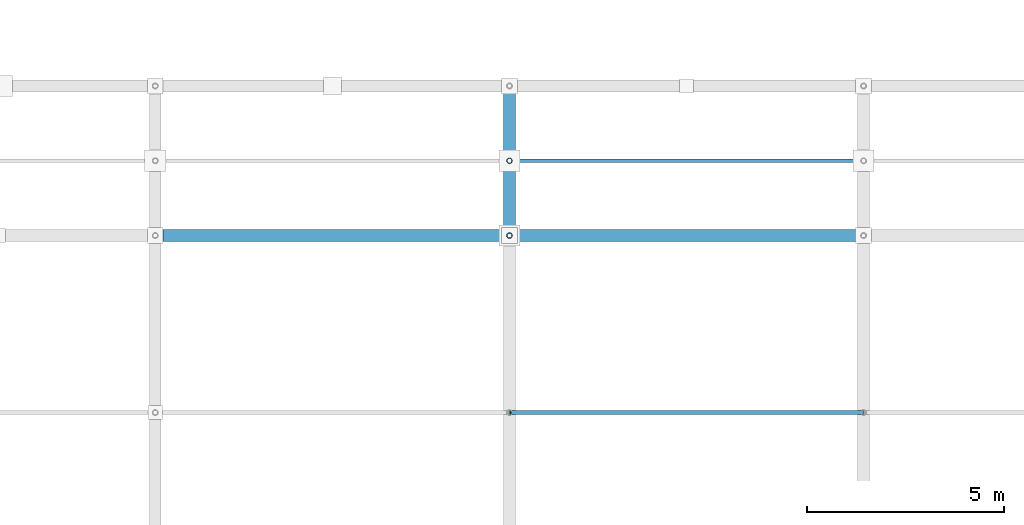
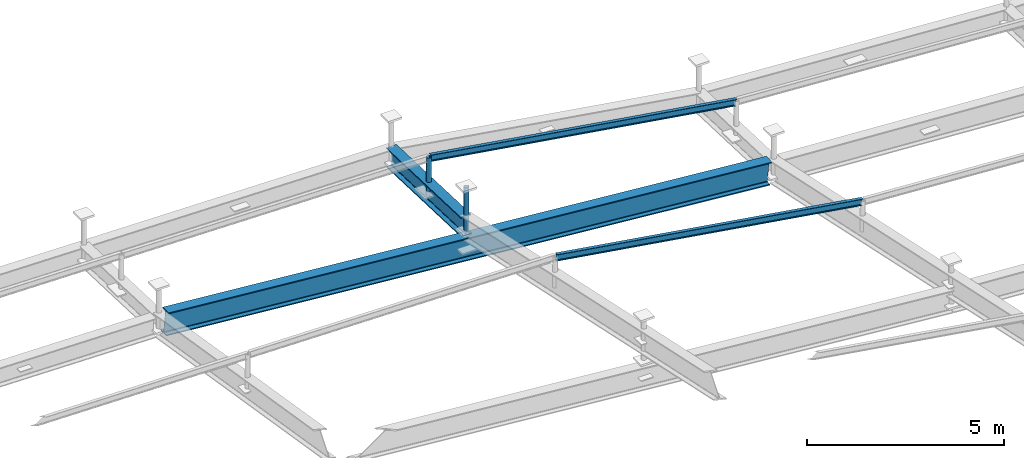
# One storey, part 36 of 80: 4 members, 2 beams.
"""IFC4 building model written with IfcOpenShell, lengths in metres."""

import ifcopenshell
import ifcopenshell.guid

model = None  # the IFC model being written
_history = None  # IfcOwnerHistory: only IFC2X3 demands one
_inside = {}  # id of a spatial element -> (the spatial element, [elements in it])
_under = {}  # id of a project, library or spatial element -> (it, [spatial elements below it])
_declared = {}  # id of a project -> (the project, [libraries it declares])
_typed = {}  # id of a type object -> (the type object, [elements of that type])
_made_of = {}  # id of a material, layer set ... -> (it, [elements and type objects made of it])


def new_model(schema):
    """Start an empty IFC model of exactly this schema.

    Asked for "IFC4X3", IfcOpenShell would pick the latest addendum, in which some entities
    have other attributes; the version numbers below select the first issue.
    IFC2X3 requires an IfcOwnerHistory on every rooted entity: one is made here for all.
    """
    global model, _history
    if schema == "IFC4X3":
        model = ifcopenshell.file(schema_version=(4, 3, 0, 0))
    else:
        model = ifcopenshell.file(schema=schema)
    _inside.clear()
    _under.clear()
    _declared.clear()
    _typed.clear()
    _made_of.clear()
    _history = None
    if model.schema == "IFC2X3":
        org = make("IfcOrganization", Name="unknown")
        user = make(
            "IfcPersonAndOrganization",
            ThePerson=make("IfcPerson", FamilyName="unknown"),
            TheOrganization=org,
        )
        app = make(
            "IfcApplication",
            ApplicationDeveloper=org,
            Version="unknown",
            ApplicationFullName="unknown",
            ApplicationIdentifier="unknown",
        )
        _history = make(
            "IfcOwnerHistory",
            OwningUser=user,
            OwningApplication=app,
            ChangeAction="ADDED",
            CreationDate=0,
        )
    return model


def make(cls, **values):
    """One entity of the class cls with the attributes given. An attribute that is None is left unset."""
    return model.create_entity(
        cls, **{name: value for name, value in values.items() if value is not None}
    )


def rooted(cls, **values):
    """An entity with a GlobalId (a new one), such as an element, a storey or a relation."""
    return make(cls, GlobalId=ifcopenshell.guid.new(), OwnerHistory=_history, **values)


def si_unit(unit_type, name, prefix=None):
    """IfcSIUnit, for example si_unit("LENGTHUNIT", "METRE", prefix="MILLI")."""
    return make("IfcSIUnit", UnitType=unit_type, Prefix=prefix, Name=name)


def assignment(units):
    """IfcUnitAssignment: the units of a project."""
    return None if units is None else make("IfcUnitAssignment", Units=units)


def point(xyz):
    """IfcCartesianPoint."""
    return None if xyz is None else make("IfcCartesianPoint", Coordinates=xyz)


def direction(xyz):
    """IfcDirection."""
    return None if xyz is None else make("IfcDirection", DirectionRatios=xyz)


def frame(location, z_axis=None, x_axis=None):
    """IfcAxis2Placement3D, a coordinate frame: its origin and axes. An axis left out is left unset."""
    return make(
        "IfcAxis2Placement3D",
        Location=point(location),
        Axis=direction(z_axis),
        RefDirection=direction(x_axis),
    )


def frame_2d(location, x_axis=None):
    """IfcAxis2Placement2D, a coordinate frame in the plane: its origin and x axis."""
    return make(
        "IfcAxis2Placement2D", Location=point(location), RefDirection=direction(x_axis)
    )


def origin():
    """The frame at (0, 0, 0) with its axes left unset."""
    return frame((0.0, 0.0, 0.0))


def origin_2d():
    """The frame at (0, 0) in the plane with its x axis left unset."""
    return frame_2d((0.0, 0.0))


def place(relative_to, where):
    """IfcLocalPlacement: puts the frame where relative to a parent placement (None: the world)."""
    return make(
        "IfcLocalPlacement", PlacementRelTo=relative_to, RelativePlacement=where
    )


def context(
    kind, dimensions, precision=None, world=None, true_north=None, identifier=None
):
    """IfcGeometricRepresentationContext, for example the 3D "Model" context."""
    return make(
        "IfcGeometricRepresentationContext",
        ContextIdentifier=identifier,
        ContextType=kind,
        CoordinateSpaceDimension=dimensions,
        Precision=precision,
        WorldCoordinateSystem=world,
        TrueNorth=true_north,
    )


def subcontext(parent, identifier, kind, view, scale=None):
    """IfcGeometricRepresentationSubContext, for example "Body" below "Model"."""
    return make(
        "IfcGeometricRepresentationSubContext",
        ContextIdentifier=identifier,
        ContextType=kind,
        ParentContext=parent,
        TargetScale=scale,
        TargetView=view,
    )


def project(units=None, contexts=None):
    """IfcProject with its units and contexts."""
    return rooted(
        "IfcProject",
        Name="project",
        RepresentationContexts=contexts,
        UnitsInContext=assignment(units),
    )


def spatial(cls, under=None, at=None, **own):
    """A site, building, storey or space (cls), placed at a placement, below another one or the project."""
    s = rooted(cls, ObjectPlacement=at, **own)
    if under is not None:
        _under.setdefault(under.id(), (under, []))[1].append(s)
    return s


def profile(cls, at=None, kind="AREA", **sizes):
    """A parametric profile (cls). Its sizes go by their IFC names, for example OverallWidth=200.0."""
    return make(cls, ProfileType=kind, Position=at, **sizes)


def hollow_circle(**sizes):
    """IfcCircleHollowProfileDef."""
    return profile("IfcCircleHollowProfileDef", **sizes)


def i_section(**sizes):
    """IfcIShapeProfileDef."""
    return profile("IfcIShapeProfileDef", **sizes)


def extrude(swept, where, along, depth):
    """IfcExtrudedAreaSolid: the profile swept, set in the frame where, extruded along a direction by depth."""
    return make(
        "IfcExtrudedAreaSolid",
        SweptArea=swept,
        Position=where,
        ExtrudedDirection=direction(along),
        Depth=depth,
    )


def shape(context_of_items, identifier, shape_type, items):
    """IfcShapeRepresentation: the items that make up one representation, for example the "Body"."""
    return make(
        "IfcShapeRepresentation",
        ContextOfItems=context_of_items,
        RepresentationIdentifier=identifier,
        RepresentationType=shape_type,
        Items=items,
    )


def material(Name=None, Category=None):
    """IfcMaterial."""
    return make("IfcMaterial", Name=Name, Category=Category)


def material_profile(
    of_material, cross_section, Name=None, Category=None, Priority=None
):
    """IfcMaterialProfile: a cross section and its material."""
    return make(
        "IfcMaterialProfile",
        Name=Name,
        Material=of_material,
        Profile=cross_section,
        Priority=Priority,
        Category=Category,
    )


def profile_set(profiles, Name=None, composite=None):
    """IfcMaterialProfileSet."""
    return make(
        "IfcMaterialProfileSet",
        Name=Name,
        MaterialProfiles=profiles,
        CompositeProfile=composite,
    )


def made_of(thing, what):
    """Note that an element or type object is made of a material, layer set ...; save() writes the relation."""
    if what is not None:
        _made_of.setdefault(what.id(), (what, []))[1].append(thing)
    return thing


def type_object(cls, material=None, **own):
    """A type object (cls), such as IfcWallType, which elements share."""
    return made_of(rooted(cls, **own), material)


def element(
    cls,
    number,
    at=None,
    inside=None,
    cuts=None,
    type_object=None,
    material=None,
    context=None,
    identifier="Body",
    shape_type=None,
    held_by="IfcProductDefinitionShape",
    body=None,
    shapes=None,
    **own,
):
    """One element of the class cls, such as IfcWall. Its Tag is "e" and its number.

    at: its placement. inside: the storey or other place that contains it. cuts: it is an
    opening in that element (IfcRelVoidsElement). A single representation is given by context,
    identifier, shape_type and body (its items); several are given by shapes. held_by: the class
    of the entity that holds the representations. save() writes the other relations.
    """
    e = rooted(cls, Tag="e%d" % number, ObjectPlacement=at, **own)
    if body is not None:
        shapes = [shape(context, identifier, shape_type, body)]
    if shapes is not None:
        e.Representation = make(held_by, Representations=shapes)
    if inside is not None:
        _inside.setdefault(inside.id(), (inside, []))[1].append(e)
    if cuts is not None:
        rooted(
            "IfcRelVoidsElement", RelatingBuildingElement=cuts, RelatedOpeningElement=e
        )
    if type_object is not None:
        _typed.setdefault(type_object.id(), (type_object, []))[1].append(e)
    return made_of(e, material)


def aggregate(whole, parts):
    """IfcRelAggregates: a whole, such as a stair, and the parts it consists of."""
    return rooted("IfcRelAggregates", RelatingObject=whole, RelatedObjects=parts)


def save(model, path):
    """Write the relations noted so far, then the file.

    IfcRelAggregates (storeys below a building ...), IfcRelContainedInSpatialStructure (elements
    in a storey), IfcRelDefinesByType, IfcRelAssociatesMaterial and IfcRelDeclares: one each for
    every whole, place, type object, material and project.
    """
    for whole, parts in _under.values():
        aggregate(whole, parts)
    for where, things in _inside.values():
        rooted(
            "IfcRelContainedInSpatialStructure",
            RelatedElements=things,
            RelatingStructure=where,
        )
    for kind, things in _typed.values():
        rooted("IfcRelDefinesByType", RelatedObjects=things, RelatingType=kind)
    for what, things in _made_of.values():
        rooted("IfcRelAssociatesMaterial", RelatedObjects=things, RelatingMaterial=what)
    for by, libraries in _declared.values():
        rooted("IfcRelDeclares", RelatingContext=by, RelatedDefinitions=libraries)
    model.write(path)


model = new_model("IFC4")

# Units and contexts
model_context = context("Model", 3, precision=1e-05, world=origin(), true_north=direction((0.0, 1.0)))
body_context = subcontext(model_context, "Body", "Model", "MODEL_VIEW")
ifc_project = project(units=[si_unit("LENGTHUNIT", "METRE"), si_unit("AREAUNIT", "SQUARE_METRE"), si_unit("VOLUMEUNIT", "CUBIC_METRE"), si_unit("PLANEANGLEUNIT", "RADIAN"), si_unit("MASSUNIT", "GRAM", prefix="KILO")], contexts=[model_context])

# Site, building, storey
site_placement = place(None, origin())
site = spatial("IfcSite", under=ifc_project, at=site_placement, CompositionType="ELEMENT")
building_placement = place(site_placement, origin())
building = spatial("IfcBuilding", under=site, at=building_placement, Name="Barlavento Convention Centre", CompositionType="ELEMENT")
storey_placement = place(building_placement, frame((0.0, 0.0, 29.800048828125)))
storey = spatial("IfcBuildingStorey", under=building, at=storey_placement, Name="RF", CompositionType="ELEMENT", Elevation=29.800048828125)

# Beams
ifc_material_1 = material(Name="Steel S355", Category="steel")
ifc_material_profile_1 = material_profile(ifc_material_1, i_section(OverallWidth=0.300048828125, OverallDepth=0.60009765625, WebThickness=0.015380859375, FlangeThickness=0.030029296875, FilletRadius=0.027099609375, at=origin_2d()), Name="HEB 600")
ifc_profile_set_1 = profile_set([ifc_material_profile_1], Name="Steel S355")
beam_type_1 = type_object("IfcBeamType", Name="STR-BM-CANT-HEB600", PredefinedType="BEAM", material=ifc_profile_set_1)
beam_1_placement = place(storey_placement, frame((9.0, 54.0048828125, -4.904541015625), z_axis=(0.0, 0.999326599253, -0.036692615407), x_axis=(-1.0, 0.0, 0.0)))
element("IfcBeam", 1, at=beam_1_placement, inside=storey, type_object=beam_type_1, Name="Congress roof truss space frame chord", PredefinedType="BEAM", context=body_context, shape_type="SweptSolid", body=[
    extrude(i_section(OverallWidth=0.300048828125, OverallDepth=0.60009765625, WebThickness=0.015380859375, FlangeThickness=0.030029296875, FilletRadius=0.027099609375, at=origin_2d()), origin(), (0.0, 0.0, 1.0), 3.79248046875),
])
ifc_material_2 = material(Name="Steel S460", Category="steel")
ifc_material_profile_2 = material_profile(ifc_material_2, i_section(OverallWidth=0.300048828125, OverallDepth=0.699951171875, WebThickness=0.01708984375, FlangeThickness=0.031982421875, FilletRadius=0.027099609375, at=origin_2d()), Name="HEB 700")
ifc_profile_set_2 = profile_set([ifc_material_profile_2], Name="Steel S460")
beam_type_2 = type_object("IfcBeamType", Name="STR-BM-TRUSS-TOP-HEB700", PredefinedType="BEAM", material=ifc_profile_set_2)
beam_2_placement = place(storey_placement, frame((0.1650390625, 54.0, -4.7763671875), z_axis=(0.996333350603, 0.0, -0.085556148088), x_axis=(0.0, 1.0, 0.0)))
element("IfcBeam", 2, at=beam_2_placement, inside=storey, type_object=beam_type_2, Name="Congress roof truss space frame chord", PredefinedType="BEAM", context=body_context, shape_type="SweptSolid", body=[
    extrude(i_section(OverallWidth=0.300048828125, OverallDepth=0.699951171875, WebThickness=0.01708984375, FlangeThickness=0.031982421875, FilletRadius=0.027099609375, at=origin_2d()), origin(), (0.0, 0.0, 1.0), 17.73486328125),
])

# Members
ifc_material_profile_3 = material_profile(ifc_material_1, hollow_circle(Radius=0.06982421875, WallThickness=0.008056640625, at=origin_2d()), Name="CHS 139.7x8.0")
ifc_profile_set_3 = profile_set([ifc_material_profile_3], Name="Steel S355")
member_type_1 = type_object("IfcMemberType", Name="STR-MEM-DIAG-CHS139", PredefinedType="BRACE", material=ifc_profile_set_3)
member_1_placement = place(storey_placement, frame((9.0, 54.0, -5.0546875), z_axis=(0.0, 0.0, 1.0), x_axis=(1.0, 0.0, 0.0)))
element("IfcMember", 3, at=member_1_placement, inside=storey, type_object=member_type_1, Name="Congress space frame vertical node post TD04", PredefinedType="BRACE", context=body_context, shape_type="SweptSolid", body=[
    extrude(hollow_circle(Radius=0.06982421875, WallThickness=0.008056640625, at=origin_2d()), origin(), (0.0, 0.0, 1.0), 1.3701171875),
])
member_2_placement = place(storey_placement, frame((9.0, 55.89990234375, -5.09423828125), z_axis=(0.0, 0.0, 1.0), x_axis=(1.0, 0.0, 0.0)))
element("IfcMember", 4, at=member_2_placement, inside=storey, type_object=member_type_1, Name="Congress space frame vertical node post TD04", PredefinedType="BRACE", context=body_context, shape_type="SweptSolid", body=[
    extrude(hollow_circle(Radius=0.06982421875, WallThickness=0.008056640625, at=origin_2d()), origin(), (0.0, 0.0, 1.0), 1.18212890625),
])
ifc_material_profile_4 = material_profile(ifc_material_1, i_section(OverallWidth=0.10009765625, OverallDepth=0.199951171875, WebThickness=0.005615234375, FlangeThickness=0.008544921875, FilletRadius=0.011962890625, at=origin_2d()), Name="IPE 200")
ifc_profile_set_4 = profile_set([ifc_material_profile_4], Name="Steel S355")
member_type_2 = type_object("IfcMemberType", Name="STR-MEM-PUR-IPE200", PredefinedType="PURLIN", material=ifc_profile_set_4)
member_3_placement = place(storey_placement, frame((9.02001953125, 49.5, -3.15283203125), z_axis=(0.987819859682, 0.0, -0.155601814954), x_axis=(0.0, 1.0, 0.0)))
element("IfcMember", 5, at=member_3_placement, inside=storey, type_object=member_type_2, Name="Congress roof intermediate purlin PR01", PredefinedType="PURLIN", context=body_context, shape_type="SweptSolid", body=[
    extrude(i_section(OverallWidth=0.10009765625, OverallDepth=0.199951171875, WebThickness=0.005615234375, FlangeThickness=0.008544921875, FilletRadius=0.011962890625, at=origin_2d()), origin(), (0.0, 0.0, 1.0), 9.070556640625),
])
member_4_placement = place(storey_placement, frame((9.02001953125, 55.89990234375, -3.9521484375), z_axis=(0.987832268227, 0.0, -0.155523020322), x_axis=(0.0, 1.0, 0.0)))
element("IfcMember", 6, at=member_4_placement, inside=storey, type_object=member_type_2, Name="Congress roof intermediate purlin PR01", PredefinedType="PURLIN", context=body_context, shape_type="SweptSolid", body=[
    extrude(i_section(OverallWidth=0.10009765625, OverallDepth=0.199951171875, WebThickness=0.005615234375, FlangeThickness=0.008544921875, FilletRadius=0.011962890625, at=origin_2d()), origin(), (0.0, 0.0, 1.0), 9.0703125),
])

save(model, "model.ifc")
